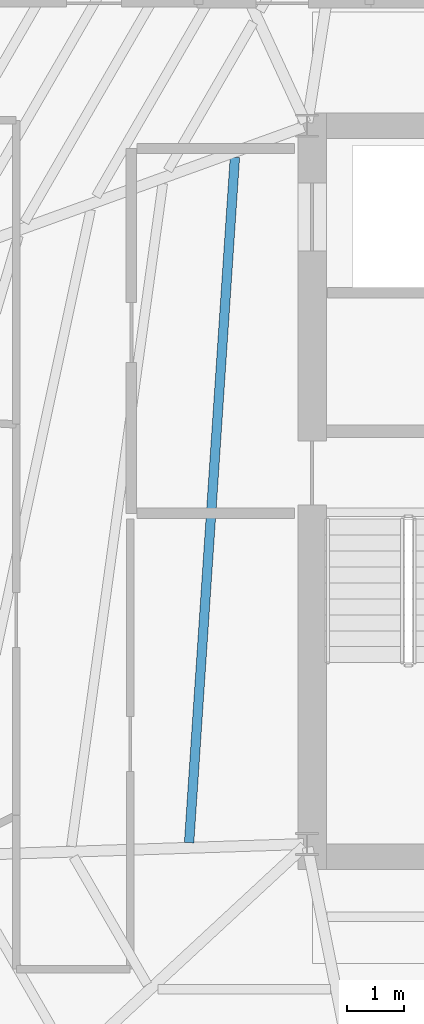
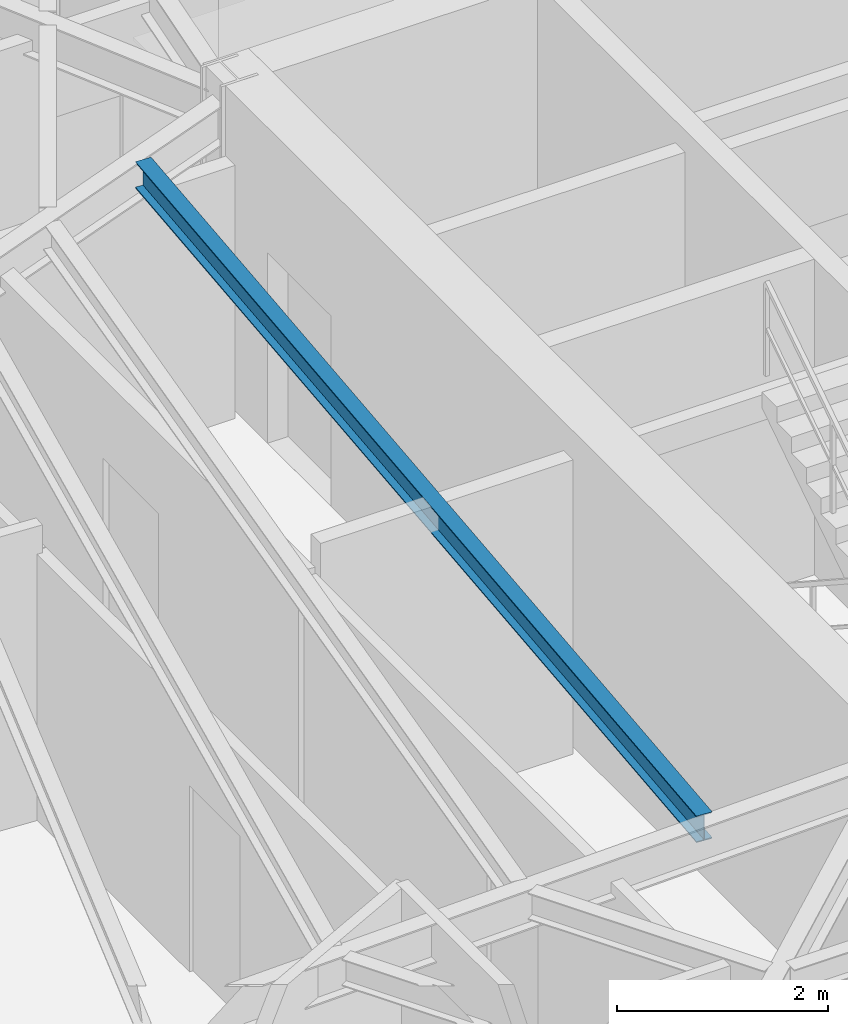
# One storey, part 13 of 41: 1 beam.
"""IFC4 building model written with IfcOpenShell, lengths in metres."""

from ifc_helpers import new_model, si_unit, direction, frame, origin, origin_2d, place, context, subcontext, project, spatial, i_section, extrude, source, transform, mapped, material, material_profile, profile_set, type_object, type_shapes, element, save


model = new_model("IFC4")

# Units and contexts
model_context = context("Model", 3, precision=1e-05, world=origin(), true_north=direction((0.0, 1.0)))
body_context = subcontext(model_context, "Body", "Model", "MODEL_VIEW")
ifc_project = project(units=[si_unit("LENGTHUNIT", "METRE"), si_unit("AREAUNIT", "SQUARE_METRE"), si_unit("VOLUMEUNIT", "CUBIC_METRE"), si_unit("PLANEANGLEUNIT", "RADIAN"), si_unit("MASSUNIT", "GRAM", prefix="KILO")], contexts=[model_context])

# Site, building, storey
site_placement = place(None, origin())
site = spatial("IfcSite", under=ifc_project, at=site_placement, CompositionType="ELEMENT")
building_placement = place(site_placement, origin())
building = spatial("IfcBuilding", under=site, at=building_placement, Name="Caelisora Broadcast Tower", CompositionType="ELEMENT")
storey_placement = place(building_placement, frame((0.0, 0.0, 209.60009765625)))
storey = spatial("IfcBuildingStorey", under=building, at=storey_placement, Name="L55", CompositionType="ELEMENT", Elevation=209.60009765625)

# Beam
ifc_material = material(Name="Steel Grade 350 (AS/NZS 3679.1)", Category="steel")
ifc_material_profile = material_profile(ifc_material, i_section(OverallWidth=0.166015625, OverallDepth=0.30712890625, WebThickness=0.006591796875, FlangeThickness=0.01171875, at=origin_2d()), Name="Steel Grade 350 (AS/NZS 3679.1)")
ifc_profile_set = profile_set([ifc_material_profile], Name="Steel Grade 350 (AS/NZS 3679.1)")
beam_type = type_object("IfcBeamType", Name="SB03", PredefinedType="JOIST", material=ifc_profile_set)
shared_shape = source(origin(), body_context, "Body", "SweptSolid", [
    extrude(i_section(OverallWidth=0.166015625, OverallDepth=0.30712890625, WebThickness=0.006591796875, FlangeThickness=0.01171875, at=origin_2d()), origin(), (0.0, 0.0, 1.0), 12.046142578125),
])
type_shapes(beam_type, [shared_shape])
beam_placement = place(storey_placement, frame((29.236328125, 29.444091796875, 3.246337890625), z_axis=(-0.066658907539, -0.997775821538, 0.0), x_axis=(0.997775821538, -0.066658907539, 0.0)))
element("IfcBeam", 1, at=beam_placement, inside=storey, type_object=beam_type, Name="L55 beam SB03", PredefinedType="JOIST", context=body_context, shape_type="MappedRepresentation", body=[
    mapped(shared_shape, transform((0.0, 0.0, 0.0), scale=1.0)),
])

save(model, "model.ifc")
